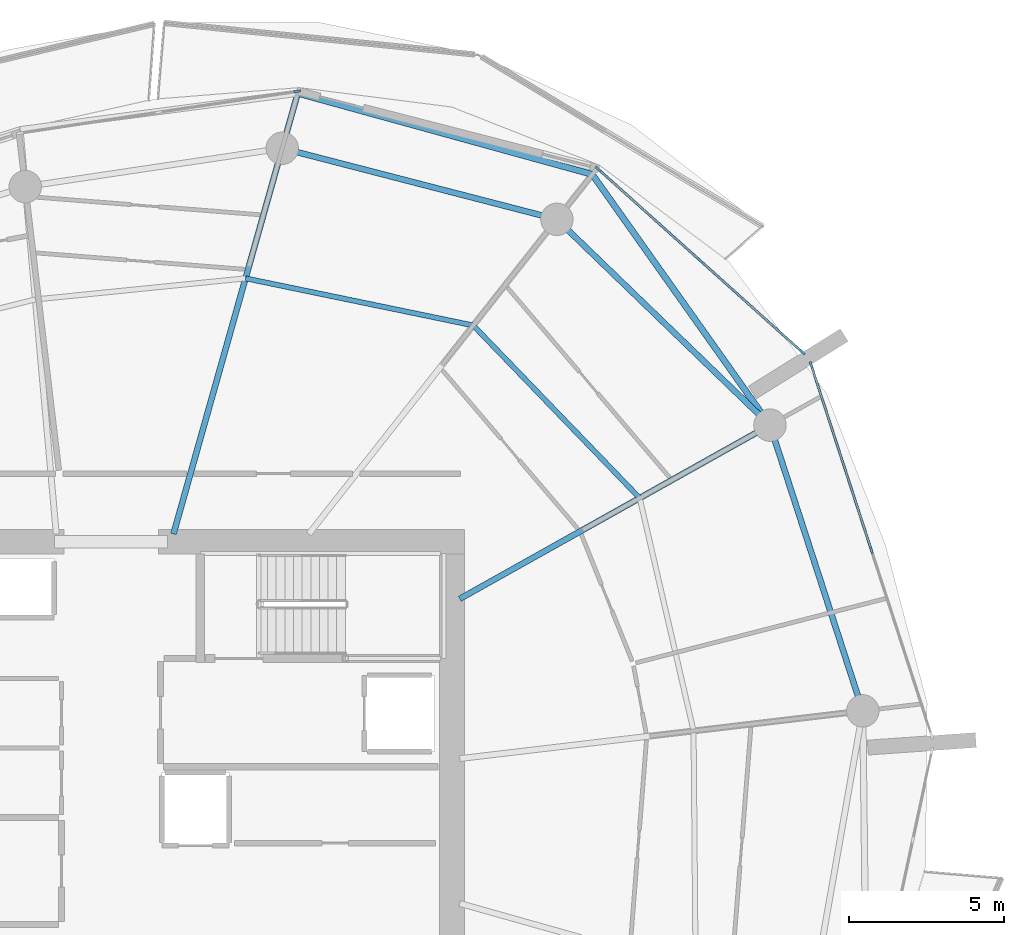
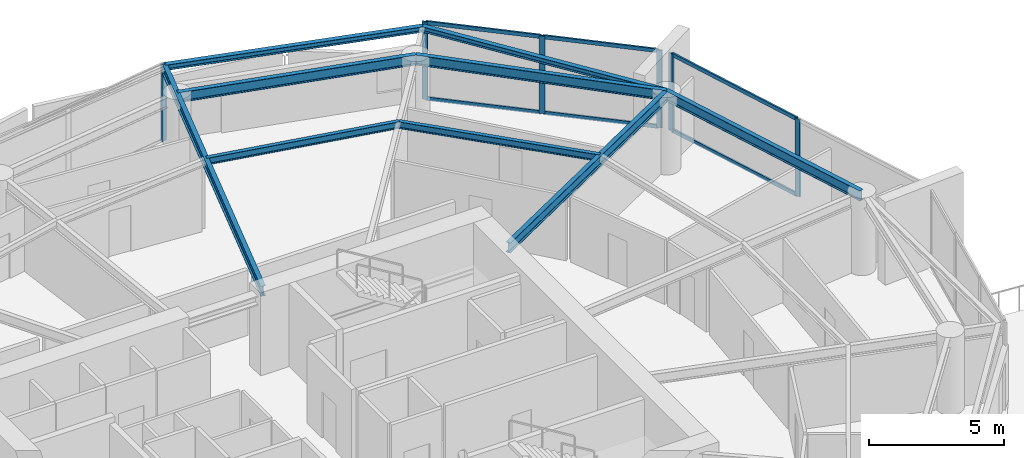
# One storey, part 9 of 20: 12 members, 9 beams, 3 elements without a shape of their own.
"""IFC4 building model written with IfcOpenShell, lengths in metres."""

import ifcopenshell
import ifcopenshell.guid

model = None  # the IFC model being written
_history = None  # IfcOwnerHistory: only IFC2X3 demands one
_inside = {}  # id of a spatial element -> (the spatial element, [elements in it])
_under = {}  # id of a project, library or spatial element -> (it, [spatial elements below it])
_declared = {}  # id of a project -> (the project, [libraries it declares])
_typed = {}  # id of a type object -> (the type object, [elements of that type])
_made_of = {}  # id of a material, layer set ... -> (it, [elements and type objects made of it])


def new_model(schema):
    """Start an empty IFC model of exactly this schema.

    Asked for "IFC4X3", IfcOpenShell would pick the latest addendum, in which some entities
    have other attributes; the version numbers below select the first issue.
    IFC2X3 requires an IfcOwnerHistory on every rooted entity: one is made here for all.
    """
    global model, _history
    if schema == "IFC4X3":
        model = ifcopenshell.file(schema_version=(4, 3, 0, 0))
    else:
        model = ifcopenshell.file(schema=schema)
    _inside.clear()
    _under.clear()
    _declared.clear()
    _typed.clear()
    _made_of.clear()
    _history = None
    if model.schema == "IFC2X3":
        org = make("IfcOrganization", Name="unknown")
        user = make(
            "IfcPersonAndOrganization",
            ThePerson=make("IfcPerson", FamilyName="unknown"),
            TheOrganization=org,
        )
        app = make(
            "IfcApplication",
            ApplicationDeveloper=org,
            Version="unknown",
            ApplicationFullName="unknown",
            ApplicationIdentifier="unknown",
        )
        _history = make(
            "IfcOwnerHistory",
            OwningUser=user,
            OwningApplication=app,
            ChangeAction="ADDED",
            CreationDate=0,
        )
    return model


def make(cls, **values):
    """One entity of the class cls with the attributes given. An attribute that is None is left unset."""
    return model.create_entity(
        cls, **{name: value for name, value in values.items() if value is not None}
    )


def rooted(cls, **values):
    """An entity with a GlobalId (a new one), such as an element, a storey or a relation."""
    return make(cls, GlobalId=ifcopenshell.guid.new(), OwnerHistory=_history, **values)


def si_unit(unit_type, name, prefix=None):
    """IfcSIUnit, for example si_unit("LENGTHUNIT", "METRE", prefix="MILLI")."""
    return make("IfcSIUnit", UnitType=unit_type, Prefix=prefix, Name=name)


def assignment(units):
    """IfcUnitAssignment: the units of a project."""
    return None if units is None else make("IfcUnitAssignment", Units=units)


def point(xyz):
    """IfcCartesianPoint."""
    return None if xyz is None else make("IfcCartesianPoint", Coordinates=xyz)


def direction(xyz):
    """IfcDirection."""
    return None if xyz is None else make("IfcDirection", DirectionRatios=xyz)


def frame(location, z_axis=None, x_axis=None):
    """IfcAxis2Placement3D, a coordinate frame: its origin and axes. An axis left out is left unset."""
    return make(
        "IfcAxis2Placement3D",
        Location=point(location),
        Axis=direction(z_axis),
        RefDirection=direction(x_axis),
    )


def frame_2d(location, x_axis=None):
    """IfcAxis2Placement2D, a coordinate frame in the plane: its origin and x axis."""
    return make(
        "IfcAxis2Placement2D", Location=point(location), RefDirection=direction(x_axis)
    )


def origin():
    """The frame at (0, 0, 0) with its axes left unset."""
    return frame((0.0, 0.0, 0.0))


def origin_2d():
    """The frame at (0, 0) in the plane with its x axis left unset."""
    return frame_2d((0.0, 0.0))


def place(relative_to, where):
    """IfcLocalPlacement: puts the frame where relative to a parent placement (None: the world)."""
    return make(
        "IfcLocalPlacement", PlacementRelTo=relative_to, RelativePlacement=where
    )


def context(
    kind, dimensions, precision=None, world=None, true_north=None, identifier=None
):
    """IfcGeometricRepresentationContext, for example the 3D "Model" context."""
    return make(
        "IfcGeometricRepresentationContext",
        ContextIdentifier=identifier,
        ContextType=kind,
        CoordinateSpaceDimension=dimensions,
        Precision=precision,
        WorldCoordinateSystem=world,
        TrueNorth=true_north,
    )


def subcontext(parent, identifier, kind, view, scale=None):
    """IfcGeometricRepresentationSubContext, for example "Body" below "Model"."""
    return make(
        "IfcGeometricRepresentationSubContext",
        ContextIdentifier=identifier,
        ContextType=kind,
        ParentContext=parent,
        TargetScale=scale,
        TargetView=view,
    )


def project(units=None, contexts=None):
    """IfcProject with its units and contexts."""
    return rooted(
        "IfcProject",
        Name="project",
        RepresentationContexts=contexts,
        UnitsInContext=assignment(units),
    )


def spatial(cls, under=None, at=None, **own):
    """A site, building, storey or space (cls), placed at a placement, below another one or the project."""
    s = rooted(cls, ObjectPlacement=at, **own)
    if under is not None:
        _under.setdefault(under.id(), (under, []))[1].append(s)
    return s


def profile(cls, at=None, kind="AREA", **sizes):
    """A parametric profile (cls). Its sizes go by their IFC names, for example OverallWidth=200.0."""
    return make(cls, ProfileType=kind, Position=at, **sizes)


def rectangle(**sizes):
    """IfcRectangleProfileDef."""
    return profile("IfcRectangleProfileDef", **sizes)


def i_section(**sizes):
    """IfcIShapeProfileDef."""
    return profile("IfcIShapeProfileDef", **sizes)


def extrude(swept, where, along, depth):
    """IfcExtrudedAreaSolid: the profile swept, set in the frame where, extruded along a direction by depth."""
    return make(
        "IfcExtrudedAreaSolid",
        SweptArea=swept,
        Position=where,
        ExtrudedDirection=direction(along),
        Depth=depth,
    )


def shape(context_of_items, identifier, shape_type, items):
    """IfcShapeRepresentation: the items that make up one representation, for example the "Body"."""
    return make(
        "IfcShapeRepresentation",
        ContextOfItems=context_of_items,
        RepresentationIdentifier=identifier,
        RepresentationType=shape_type,
        Items=items,
    )


def material(Name=None, Category=None):
    """IfcMaterial."""
    return make("IfcMaterial", Name=Name, Category=Category)


def layer(
    of_material, thickness, ventilated=None, Name=None, Category=None, Priority=None
):
    """IfcMaterialLayer: one layer of a wall or slab, of a material (None: an air gap)."""
    return make(
        "IfcMaterialLayer",
        Material=of_material,
        LayerThickness=thickness,
        IsVentilated=ventilated,
        Name=Name,
        Category=Category,
        Priority=Priority,
    )


def layer_set(layers, Name=None):
    """IfcMaterialLayerSet."""
    return make("IfcMaterialLayerSet", MaterialLayers=layers, LayerSetName=Name)


def material_profile(
    of_material, cross_section, Name=None, Category=None, Priority=None
):
    """IfcMaterialProfile: a cross section and its material."""
    return make(
        "IfcMaterialProfile",
        Name=Name,
        Material=of_material,
        Profile=cross_section,
        Priority=Priority,
        Category=Category,
    )


def profile_set(profiles, Name=None, composite=None):
    """IfcMaterialProfileSet."""
    return make(
        "IfcMaterialProfileSet",
        Name=Name,
        MaterialProfiles=profiles,
        CompositeProfile=composite,
    )


def made_of(thing, what):
    """Note that an element or type object is made of a material, layer set ...; save() writes the relation."""
    if what is not None:
        _made_of.setdefault(what.id(), (what, []))[1].append(thing)
    return thing


def type_object(cls, material=None, **own):
    """A type object (cls), such as IfcWallType, which elements share."""
    return made_of(rooted(cls, **own), material)


def element(
    cls,
    number,
    at=None,
    inside=None,
    cuts=None,
    type_object=None,
    material=None,
    context=None,
    identifier="Body",
    shape_type=None,
    held_by="IfcProductDefinitionShape",
    body=None,
    shapes=None,
    **own,
):
    """One element of the class cls, such as IfcWall. Its Tag is "e" and its number.

    at: its placement. inside: the storey or other place that contains it. cuts: it is an
    opening in that element (IfcRelVoidsElement). A single representation is given by context,
    identifier, shape_type and body (its items); several are given by shapes. held_by: the class
    of the entity that holds the representations. save() writes the other relations.
    """
    e = rooted(cls, Tag="e%d" % number, ObjectPlacement=at, **own)
    if body is not None:
        shapes = [shape(context, identifier, shape_type, body)]
    if shapes is not None:
        e.Representation = make(held_by, Representations=shapes)
    if inside is not None:
        _inside.setdefault(inside.id(), (inside, []))[1].append(e)
    if cuts is not None:
        rooted(
            "IfcRelVoidsElement", RelatingBuildingElement=cuts, RelatedOpeningElement=e
        )
    if type_object is not None:
        _typed.setdefault(type_object.id(), (type_object, []))[1].append(e)
    return made_of(e, material)


def aggregate(whole, parts):
    """IfcRelAggregates: a whole, such as a stair, and the parts it consists of."""
    return rooted("IfcRelAggregates", RelatingObject=whole, RelatedObjects=parts)


def save(model, path):
    """Write the relations noted so far, then the file.

    IfcRelAggregates (storeys below a building ...), IfcRelContainedInSpatialStructure (elements
    in a storey), IfcRelDefinesByType, IfcRelAssociatesMaterial and IfcRelDeclares: one each for
    every whole, place, type object, material and project.
    """
    for whole, parts in _under.values():
        aggregate(whole, parts)
    for where, things in _inside.values():
        rooted(
            "IfcRelContainedInSpatialStructure",
            RelatedElements=things,
            RelatingStructure=where,
        )
    for kind, things in _typed.values():
        rooted("IfcRelDefinesByType", RelatedObjects=things, RelatingType=kind)
    for what, things in _made_of.values():
        rooted("IfcRelAssociatesMaterial", RelatedObjects=things, RelatingMaterial=what)
    for by, libraries in _declared.values():
        rooted("IfcRelDeclares", RelatingContext=by, RelatedDefinitions=libraries)
    model.write(path)


model = new_model("IFC4")

# Units and contexts
model_context = context("Model", 3, precision=1e-05, world=origin(), true_north=direction((0.0, 1.0)))
body_context = subcontext(model_context, "Body", "Model", "MODEL_VIEW")
ifc_project = project(units=[si_unit("LENGTHUNIT", "METRE"), si_unit("AREAUNIT", "SQUARE_METRE"), si_unit("VOLUMEUNIT", "CUBIC_METRE"), si_unit("PLANEANGLEUNIT", "RADIAN"), si_unit("MASSUNIT", "GRAM", prefix="KILO")], contexts=[model_context])

# Site, building, storey
site_placement = place(None, origin())
site = spatial("IfcSite", under=ifc_project, at=site_placement, CompositionType="ELEMENT")
building_placement = place(site_placement, origin())
building = spatial("IfcBuilding", under=site, at=building_placement, Name="Kazma Halo Residences", CompositionType="ELEMENT")
storey_placement = place(building_placement, frame((0.0, 0.0, 154.050048828125)))
storey = spatial("IfcBuildingStorey", under=building, at=storey_placement, Name="L38", CompositionType="ELEMENT", Elevation=154.050048828125)

# Beams
ifc_material_1 = material(Name="Steel S355", Category="steel")
ifc_material_profile_1 = material_profile(ifc_material_1, i_section(OverallWidth=0.201904296875, OverallDepth=0.2470703125, WebThickness=0.00732421875, FlangeThickness=0.010986328125, FilletRadius=0.011962890625, at=origin_2d()), Name="W250x49.1")
ifc_profile_set_1 = profile_set([ifc_material_profile_1], Name="Steel S355")
beam_type_1 = type_object("IfcBeamType", Name="BM-BAL-CANT", PredefinedType="BEAM", material=ifc_profile_set_1)
beam_1_placement = place(storey_placement, frame((69.730224609375, 54.16943359375, 3.37646484375), z_axis=(-0.578203432081, 0.81589263456, 0.0), x_axis=(-0.81589263456, -0.578203432081, 0.0)))
element("IfcBeam", 1, at=beam_1_placement, inside=storey, type_object=beam_type_1, Name="L38 wave-balcony lead tie beam 01", PredefinedType="BEAM", context=body_context, shape_type="SweptSolid", body=[
    extrude(i_section(OverallWidth=0.201904296875, OverallDepth=0.2470703125, WebThickness=0.00732421875, FlangeThickness=0.010986328125, FilletRadius=0.011962890625, at=origin_2d()), origin(), (0.0, 0.0, 1.0), 9.9365234375),
])
beam_2_placement = place(storey_placement, frame((63.98486328125, 62.276611328125, 3.37646484375), z_axis=(-0.964045237638, 0.265738179019, 0.0), x_axis=(-0.265738179019, -0.964045237638, 0.0)))
element("IfcBeam", 2, at=beam_2_placement, inside=storey, type_object=beam_type_1, Name="L38 wave-balcony tie beam 02", PredefinedType="BEAM", context=body_context, shape_type="SweptSolid", body=[
    extrude(i_section(OverallWidth=0.201904296875, OverallDepth=0.2470703125, WebThickness=0.00732421875, FlangeThickness=0.010986328125, FilletRadius=0.011962890625, at=origin_2d()), origin(), (0.0, 0.0, 1.0), 9.880859375),
])
ifc_material_profile_2 = material_profile(ifc_material_1, i_section(OverallWidth=0.18994140625, OverallDepth=0.45703125, WebThickness=0.009033203125, FlangeThickness=0.014404296875, FilletRadius=0.01611328125, at=origin_2d()), Name="W460x74")
ifc_profile_set_2 = profile_set([ifc_material_profile_2], Name="Steel S355")
beam_type_2 = type_object("IfcBeamType", Name="BM-RAD-W460", PredefinedType="BEAM", material=ifc_profile_set_2)
beam_3_placement = place(storey_placement, frame((59.699951171875, 48.55224609375, 3.271484375), z_axis=(0.872497324456, 0.488618889132, 0.0), x_axis=(-0.488618889132, 0.872497324456, 0.0)))
element("IfcBeam", 3, at=beam_3_placement, inside=storey, type_object=beam_type_2, Name="L38 radial floor beam 01", PredefinedType="BEAM", context=body_context, shape_type="SweptSolid", body=[
    extrude(i_section(OverallWidth=0.18994140625, OverallDepth=0.45703125, WebThickness=0.009033203125, FlangeThickness=0.014404296875, FilletRadius=0.01611328125, at=origin_2d()), origin(), (0.0, 0.0, 1.0), 11.49609375),
])
beam_4_placement = place(storey_placement, frame((50.439697265625, 50.64990234375, 3.271484375), z_axis=(0.271435886816, 0.962456523355, 0.0), x_axis=(-0.962456523355, 0.271435886816, 0.0)))
element("IfcBeam", 4, at=beam_4_placement, inside=storey, type_object=beam_type_2, Name="L38 radial floor beam 03", PredefinedType="BEAM", context=body_context, shape_type="SweptSolid", body=[
    extrude(i_section(OverallWidth=0.18994140625, OverallDepth=0.45703125, WebThickness=0.009033203125, FlangeThickness=0.014404296875, FilletRadius=0.01611328125, at=origin_2d()), origin(), (0.0, 0.0, 1.0), 14.808349609375),
])
ifc_material_profile_3 = material_profile(ifc_material_1, i_section(OverallWidth=0.1650390625, OverallDepth=0.31005859375, WebThickness=0.005859375, FlangeThickness=0.009765625, FilletRadius=0.011962890625, at=origin_2d()), Name="W310x38.7")
ifc_profile_set_3 = profile_set([ifc_material_profile_3], Name="Steel S355")
beam_type_3 = type_object("IfcBeamType", Name="BM-SEC-W310B", PredefinedType="JOIST", material=ifc_profile_set_3)
beam_5_placement = place(storey_placement, frame((65.517578125, 51.810302734375, 3.344970703125), z_axis=(-0.694049338985, 0.719927437354, 0.0), x_axis=(-0.719927437354, -0.694049338985, 0.0)))
element("IfcBeam", 5, at=beam_5_placement, inside=storey, type_object=beam_type_3, Name="L38 circumferential floor joist 01", PredefinedType="JOIST", context=body_context, shape_type="SweptSolid", body=[
    extrude(i_section(OverallWidth=0.1650390625, OverallDepth=0.31005859375, WebThickness=0.005859375, FlangeThickness=0.009765625, FilletRadius=0.011962890625, at=origin_2d()), origin(), (0.0, 0.0, 1.0), 7.7548828125),
])
beam_6_placement = place(storey_placement, frame((60.13525390625, 57.393310546875, 3.344970703125), z_axis=(-0.979272189631, 0.202548706773, 0.0), x_axis=(-0.202548706773, -0.979272189631, 0.0)))
element("IfcBeam", 6, at=beam_6_placement, inside=storey, type_object=beam_type_3, Name="L38 circumferential floor joist 02", PredefinedType="JOIST", context=body_context, shape_type="SweptSolid", body=[
    extrude(i_section(OverallWidth=0.1650390625, OverallDepth=0.31005859375, WebThickness=0.005859375, FlangeThickness=0.009765625, FilletRadius=0.011962890625, at=origin_2d()), origin(), (0.0, 0.0, 1.0), 7.52001953125),
])
ifc_material_profile_4 = material_profile(ifc_material_1, i_section(OverallWidth=0.18994140625, OverallDepth=0.45703125, WebThickness=0.009033203125, FlangeThickness=0.014404296875, FilletRadius=0.01611328125, at=origin_2d()), Name="W460x74")
ifc_profile_set_4 = profile_set([ifc_material_profile_4], Name="Steel S355")
beam_type_4 = type_object("IfcBeamType", Name="BM-SPN-W460", PredefinedType="BEAM", material=ifc_profile_set_4)
beam_7_placement = place(storey_placement, frame((69.730224609375, 54.16943359375, 3.271484375), z_axis=(-0.719334705845, 0.694663645923, 0.0), x_axis=(-0.694663645923, -0.719334705845, 0.0)))
element("IfcBeam", 7, at=beam_7_placement, inside=storey, type_object=beam_type_4, Name="L38 perimeter ring beam 01", PredefinedType="BEAM", context=body_context, shape_type="SweptSolid", body=[
    extrude(i_section(OverallWidth=0.18994140625, OverallDepth=0.45703125, WebThickness=0.009033203125, FlangeThickness=0.014404296875, FilletRadius=0.01611328125, at=origin_2d()), origin(), (0.0, 0.0, 1.0), 9.5791015625),
])
beam_8_placement = place(storey_placement, frame((62.839599609375, 60.82373046875, 3.271484375), z_axis=(-0.968123664213, 0.250472694699, 0.0), x_axis=(-0.250472694699, -0.968123664213, 0.0)))
element("IfcBeam", 8, at=beam_8_placement, inside=storey, type_object=beam_type_4, Name="L38 perimeter ring beam 02", PredefinedType="BEAM", context=body_context, shape_type="SweptSolid", body=[
    extrude(i_section(OverallWidth=0.18994140625, OverallDepth=0.45703125, WebThickness=0.009033203125, FlangeThickness=0.014404296875, FilletRadius=0.01611328125, at=origin_2d()), origin(), (0.0, 0.0, 1.0), 9.175048828125),
])
beam_9_placement = place(storey_placement, frame((72.733154296875, 44.927490234375, 3.271484375), z_axis=(-0.309020741629, 0.95105529873, 0.0), x_axis=(-0.95105529873, -0.309020741629, 0.0)))
element("IfcBeam", 9, at=beam_9_placement, inside=storey, type_object=beam_type_4, Name="L38 perimeter ring beam 16", PredefinedType="BEAM", context=body_context, shape_type="SweptSolid", body=[
    extrude(i_section(OverallWidth=0.18994140625, OverallDepth=0.45703125, WebThickness=0.009033203125, FlangeThickness=0.014404296875, FilletRadius=0.01611328125, at=origin_2d()), origin(), (0.0, 0.0, 1.0), 9.717529296875),
])

# Curtain wall, members
ifc_material_2 = material(Name="Aluminium AW-6063 T6 and Triple-Silver Low-E Glass", Category="aluminium")
ifc_layer = layer(ifc_material_2, 0.219970703125)
ifc_layer_set = layer_set([ifc_layer], Name="Aluminium AW-6063 T6 and Triple-Silver Low-E Glass")
curtain_wall_type = type_object("IfcCurtainWallType", Name="CW-SYS-4", PredefinedType="NOTDEFINED", material=ifc_layer_set)
curtain_wall_1_placement = place(storey_placement, origin())
curtain_wall_1 = element("IfcCurtainWall", 10, at=curtain_wall_1_placement, inside=storey, type_object=curtain_wall_type, Name="L38 unitised curtain wall B01", PredefinedType="NOTDEFINED")
ifc_material_3 = material(Name="Aluminium AW-6063 T6", Category="aluminium")
ifc_material_profile_5 = material_profile(ifc_material_3, rectangle(XDim=0.074951171875, YDim=0.219970703125, at=origin_2d()), Name="CWM-75x220")
ifc_profile_set_5 = profile_set([ifc_material_profile_5], Name="Aluminium AW-6063 T6")
member_type_1 = type_object("IfcMemberType", Name="CW-SYS-4-MUL", PredefinedType="MULLION", material=ifc_profile_set_5)
member_1_placement = place(storey_placement, frame((70.778564453125, 56.5263671875, 0.0), z_axis=(0.0, 0.0, 1.0), x_axis=(-0.667770096247, -0.744367582957, 0.0)))
member_1 = element("IfcMember", 11, at=member_1_placement, type_object=member_type_1, Name="CWS-4 mullion 1", PredefinedType="MULLION", context=body_context, shape_type="SweptSolid", body=[
    extrude(rectangle(XDim=0.074951171875, YDim=0.219970703125, at=origin_2d()), origin(), (0.0, 0.0, 1.0), 3.5),
])
member_2_placement = place(storey_placement, frame((67.47509765625, 59.48974609375, 0.0), z_axis=(0.0, 0.0, 1.0), x_axis=(-0.667770096247, -0.744367582957, 0.0)))
member_2 = element("IfcMember", 12, at=member_2_placement, type_object=member_type_1, Name="CWS-4 mullion 2", PredefinedType="MULLION", context=body_context, shape_type="SweptSolid", body=[
    extrude(rectangle(XDim=0.074951171875, YDim=0.219970703125, at=origin_2d()), origin(), (0.0, 0.0, 1.0), 3.5),
])
member_3_placement = place(storey_placement, frame((64.171630859375, 62.453369140625, 0.0), z_axis=(0.0, 0.0, 1.0), x_axis=(-0.667770096247, -0.744367582957, 0.0)))
member_3 = element("IfcMember", 13, at=member_3_placement, type_object=member_type_1, Name="CWS-4 mullion 3", PredefinedType="MULLION", context=body_context, shape_type="SweptSolid", body=[
    extrude(rectangle(XDim=0.074951171875, YDim=0.219970703125, at=origin_2d()), origin(), (0.0, 0.0, 1.0), 3.5),
])

# Curtain wall, member
curtain_wall_2_placement = place(storey_placement, origin())
curtain_wall_2 = element("IfcCurtainWall", 14, at=curtain_wall_2_placement, inside=storey, type_object=curtain_wall_type, Name="L38 unitised curtain wall B03", PredefinedType="NOTDEFINED")
member_4_placement = place(storey_placement, frame((54.440673828125, 64.962890625, 0.0), z_axis=(0.0, 0.0, 1.0), x_axis=(0.148821022686, -0.988864148004, 0.0)))
member_4 = element("IfcMember", 15, at=member_4_placement, type_object=member_type_1, Name="CWS-4 mullion 1", PredefinedType="MULLION", context=body_context, shape_type="SweptSolid", body=[
    extrude(rectangle(XDim=0.074951171875, YDim=0.219970703125, at=origin_2d()), origin(), (0.0, 0.0, 1.0), 3.5),
])
aggregate(curtain_wall_2, [member_4])

# Curtain wall, members
curtain_wall_3_placement = place(storey_placement, origin())
curtain_wall_3 = element("IfcCurtainWall", 16, at=curtain_wall_3_placement, inside=storey, type_object=curtain_wall_type, Name="L38 unitised curtain wall B16", PredefinedType="NOTDEFINED")
member_5_placement = place(storey_placement, frame((73.009033203125, 50.1259765625, 0.0), z_axis=(0.0, 0.0, 1.0), x_axis=(-0.951057547609, -0.3090138203, 0.0)))
member_5 = element("IfcMember", 17, at=member_5_placement, type_object=member_type_1, Name="CWS-4 mullion 2", PredefinedType="MULLION", context=body_context, shape_type="SweptSolid", body=[
    extrude(rectangle(XDim=0.074951171875, YDim=0.219970703125, at=origin_2d()), origin(), (0.0, 0.0, 1.0), 3.5),
])
member_6_placement = place(storey_placement, frame((71.062255859375, 56.117431640625, 0.0), z_axis=(0.0, 0.0, 1.0), x_axis=(-0.951057547609, -0.3090138203, 0.0)))
member_6 = element("IfcMember", 18, at=member_6_placement, type_object=member_type_1, Name="CWS-4 mullion 3", PredefinedType="MULLION", context=body_context, shape_type="SweptSolid", body=[
    extrude(rectangle(XDim=0.074951171875, YDim=0.219970703125, at=origin_2d()), origin(), (0.0, 0.0, 1.0), 3.5),
])

# Member
ifc_material_profile_6 = material_profile(ifc_material_3, rectangle(XDim=0.074951171875, YDim=0.1650390625, at=origin_2d()), Name="CWT-75x165")
ifc_profile_set_6 = profile_set([ifc_material_profile_6], Name="Aluminium AW-6063 T6")
member_type_2 = type_object("IfcMemberType", Name="CW-SYS-4-TRN", PredefinedType="USERDEFINED", material=ifc_profile_set_6)
member_7_placement = place(storey_placement, frame((70.75048828125, 56.55126953125, 0.037353515625), z_axis=(-0.744344978888, 0.66779529229, 0.0), x_axis=(-0.66779529229, -0.744344978888, 0.0)))
member_7 = element("IfcMember", 19, at=member_7_placement, type_object=member_type_2, Name="CWS-4 transom 1.1", ObjectType="TRANSOM", PredefinedType="USERDEFINED", context=body_context, shape_type="SweptSolid", body=[
    extrude(rectangle(XDim=0.074951171875, YDim=0.1650390625, at=origin_2d()), origin(), (0.0, 0.0, 1.0), 4.363037109375),
])

member_8_placement = place(storey_placement, frame((70.75048828125, 56.55126953125, 3.46240234375), z_axis=(-0.744344978888, 0.66779529229, 0.0), x_axis=(-0.66779529229, -0.744344978888, 0.0)))
member_8 = element("IfcMember", 20, at=member_8_placement, type_object=member_type_2, Name="CWS-4 transom 1.2", ObjectType="TRANSOM", PredefinedType="USERDEFINED", context=body_context, shape_type="SweptSolid", body=[
    extrude(rectangle(XDim=0.074951171875, YDim=0.1650390625, at=origin_2d()), origin(), (0.0, 0.0, 1.0), 4.363037109375),
])

member_9_placement = place(storey_placement, frame((67.447265625, 59.514892578125, 0.037353515625), z_axis=(-0.744372794017, 0.667764287401, 0.0), x_axis=(-0.667764287401, -0.744372794017, 0.0)))
member_9 = element("IfcMember", 21, at=member_9_placement, type_object=member_type_2, Name="CWS-4 transom 2.1", ObjectType="TRANSOM", PredefinedType="USERDEFINED", context=body_context, shape_type="SweptSolid", body=[
    extrude(rectangle(XDim=0.074951171875, YDim=0.1650390625, at=origin_2d()), origin(), (0.0, 0.0, 1.0), 4.36279296875),
])

member_10_placement = place(storey_placement, frame((67.447265625, 59.514892578125, 3.46240234375), z_axis=(-0.744372794017, 0.667764287401, 0.0), x_axis=(-0.667764287401, -0.744372794017, 0.0)))
member_10 = element("IfcMember", 22, at=member_10_placement, type_object=member_type_2, Name="CWS-4 transom 2.2", ObjectType="TRANSOM", PredefinedType="USERDEFINED", context=body_context, shape_type="SweptSolid", body=[
    extrude(rectangle(XDim=0.074951171875, YDim=0.1650390625, at=origin_2d()), origin(), (0.0, 0.0, 1.0), 4.36279296875),
])

aggregate(curtain_wall_1, [member_1, member_2, member_3, member_7, member_8, member_9, member_10])

member_11_placement = place(storey_placement, frame((72.99755859375, 50.16162109375, 0.037353515625), z_axis=(-0.309017784977, 0.951056259413, 0.0), x_axis=(-0.951056259413, -0.309017784977, 0.0)))
member_11 = element("IfcMember", 23, at=member_11_placement, type_object=member_type_2, Name="CWS-4 transom 2.1", ObjectType="TRANSOM", PredefinedType="USERDEFINED", context=body_context, shape_type="SweptSolid", body=[
    extrude(rectangle(XDim=0.074951171875, YDim=0.1650390625, at=origin_2d()), origin(), (0.0, 0.0, 1.0), 6.224853515625),
])

member_12_placement = place(storey_placement, frame((72.99755859375, 50.16162109375, 3.46240234375), z_axis=(-0.309017784977, 0.951056259413, 0.0), x_axis=(-0.951056259413, -0.309017784977, 0.0)))
member_12 = element("IfcMember", 24, at=member_12_placement, type_object=member_type_2, Name="CWS-4 transom 2.2", ObjectType="TRANSOM", PredefinedType="USERDEFINED", context=body_context, shape_type="SweptSolid", body=[
    extrude(rectangle(XDim=0.074951171875, YDim=0.1650390625, at=origin_2d()), origin(), (0.0, 0.0, 1.0), 6.224853515625),
])

aggregate(curtain_wall_3, [member_5, member_6, member_11, member_12])

save(model, "model.ifc")
